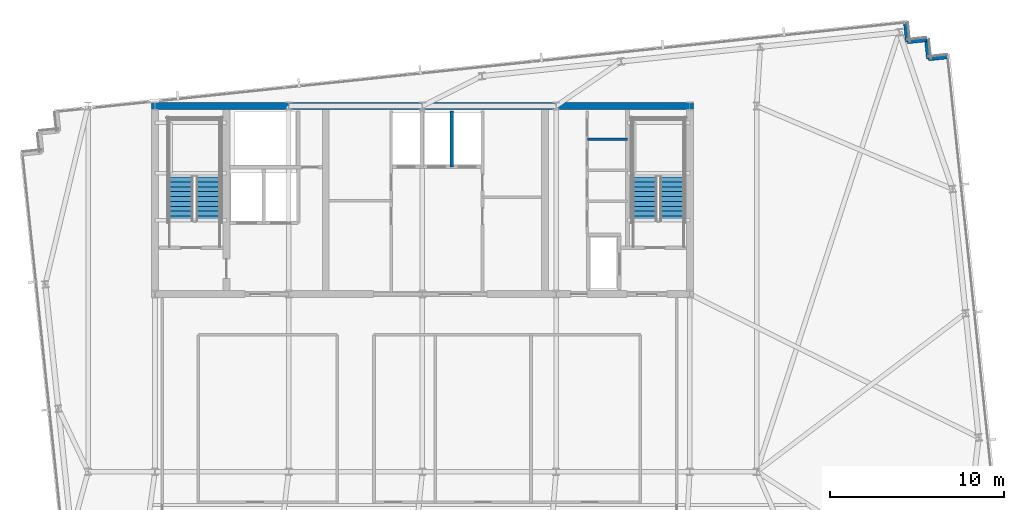
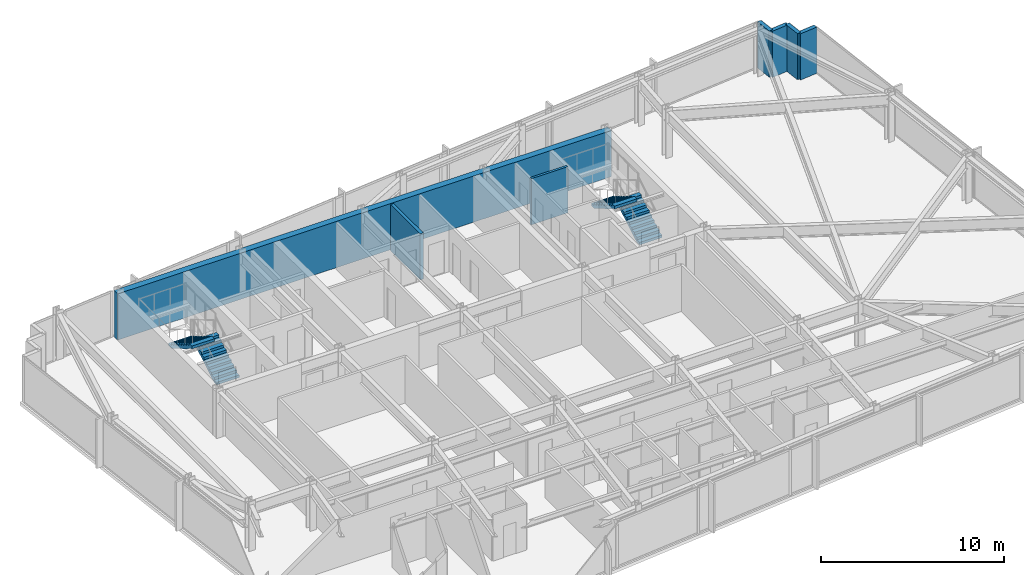
# One storey, part 29 of 33: 7 walls, 4 stair flights, 2 elements without a shape of their own.
"""IFC4 building model written with IfcOpenShell, lengths in metres."""

from ifc_helpers import new_model, si_unit, direction, frame, frame_2d, origin, place, context, subcontext, project, spatial, polyline, rectangle, outline, extrude, material, layer, layer_set, type_object, element, aggregate, save


model = new_model("IFC4")

# Units and contexts
model_context = context("Model", 3, precision=1e-05, world=origin(), true_north=direction((0.0, 1.0)))
body_context = subcontext(model_context, "Body", "Model", "MODEL_VIEW")
ifc_project = project(units=[si_unit("LENGTHUNIT", "METRE"), si_unit("AREAUNIT", "SQUARE_METRE"), si_unit("VOLUMEUNIT", "CUBIC_METRE"), si_unit("PLANEANGLEUNIT", "RADIAN"), si_unit("MASSUNIT", "GRAM", prefix="KILO")], contexts=[model_context])

# Site, building, storey
site_placement = place(None, origin())
site = spatial("IfcSite", under=ifc_project, at=site_placement, CompositionType="ELEMENT")
building_placement = place(site_placement, origin())
building = spatial("IfcBuilding", under=site, at=building_placement, Name="Yelkora Congress Tower", CompositionType="ELEMENT")
storey_placement = place(building_placement, frame((0.0, 0.0, 234.199951171875)))
storey = spatial("IfcBuildingStorey", under=building, at=storey_placement, Name="L65", CompositionType="ELEMENT", Elevation=234.199951171875)

# Walls
ifc_material_1 = material(Name="Concrete C50/60", Category="concrete")
ifc_layer_1 = layer(ifc_material_1, 0.39990234375)
ifc_layer_set_1 = layer_set([ifc_layer_1], Name="Concrete C50/60")
wall_type_1 = type_object("IfcWallType", Name="WALL-CORE-INT-400", PredefinedType="SHEAR", material=ifc_layer_set_1)
wall_1_placement = place(storey_placement, frame((22.840087890625, 46.199951171875, 0.0), z_axis=(0.0, 0.0, 1.0), x_axis=(1.0, 0.0, 0.0)))
element("IfcWall", 1, at=wall_1_placement, inside=storey, type_object=wall_type_1, Name="L65 Rear Core North Shear Wall", PredefinedType="SHEAR", context=body_context, shape_type="SweptSolid", body=[
    extrude(rectangle(XDim=31.119873046875, YDim=0.39990234375, at=frame_2d((15.56005859375, 0.0))), origin(), (0.0, 0.0, 1.0), 3.080078125),
])
ifc_material_2 = material(Name="Concrete C40/50", Category="concrete")
ifc_layer_2 = layer(ifc_material_2, 0.239990234375)
ifc_layer_set_2 = layer_set([ifc_layer_2], Name="Concrete C40/50")
wall_type_2 = type_object("IfcWallType", Name="WALL-EXT-LIMESTONE-240", PredefinedType="SOLIDWALL", material=ifc_layer_set_2)
for number, where, z_axis, x_axis, name in (
    (2, (66.150390625, 50.986572265625, 0.0), (0.0, 0.0, 1.0), (0.104534592565, -0.994521251134, 0.0), "L65 Serrated Corner Limestone Pier 11"),
    (3, (66.265380859375, 49.892578125, 0.0), (0.0, 0.0, 1.0), (0.994521251134, 0.104534592565, 0.0), "L65 Serrated Corner Limestone Pier 12"),
    (4, (67.359375, 50.007568359375, 0.0), (0.0, 0.0, 1.0), (0.104534592565, -0.994521251134, 0.0), "L65 Serrated Corner Limestone Pier 13"),
    (5, (67.474365234375, 48.91357421875, 0.0), (0.0, 0.0, 1.0), (0.994521251134, 0.104534592565, 0.0), "L65 Serrated Corner Limestone Pier 14"),
):
    element("IfcWall", number, at=place(storey_placement, frame(where, z_axis=z_axis, x_axis=x_axis)), inside=storey, type_object=wall_type_2, Name=name, PredefinedType="SOLIDWALL", context=body_context, shape_type="SweptSolid", body=[
        extrude(rectangle(XDim=1.10009765625, YDim=0.239990234375, at=frame_2d((0.550048828125, 0.0))), origin(), (0.0, 0.0, 1.0), 3.080078125),
    ])
ifc_material_3 = material(Name="Acoustic metal-stud gypsum partition", Category="gypsum")
ifc_layer_3 = layer(ifc_material_3, 0.14990234375)
ifc_layer_set_3 = layer_set([ifc_layer_3], Name="Acoustic metal-stud gypsum partition")
wall_type_3 = type_object("IfcWallType", Name="WALL-INT-150-NR", PredefinedType="PARTITIONING", material=ifc_layer_set_3)
wall_2_placement = place(storey_placement, frame((47.8798828125, 44.280029296875, 0.0), z_axis=(0.0, 0.0, 1.0), x_axis=(1.0, 0.0, 0.0)))
element("IfcWall", 6, at=wall_2_placement, inside=storey, type_object=wall_type_3, Name="L65 Partition Wall 22", PredefinedType="PARTITIONING", context=body_context, shape_type="SweptSolid", body=[
    extrude(rectangle(XDim=2.300048828125, YDim=0.14990234375, at=frame_2d((1.14990234375, 0.0))), origin(), (0.0, 0.0, 1.0), 3.080078125),
])
ifc_material_4 = material(Name="Autoclaved aerated concrete blockwork", Category="masonry")
ifc_layer_4 = layer(ifc_material_4, 0.199951171875)
ifc_layer_set_4 = layer_set([ifc_layer_4], Name="Autoclaved aerated concrete blockwork")
wall_type_4 = type_object("IfcWallType", Name="WALL-INT-200-R120", PredefinedType="PARTITIONING", material=ifc_layer_set_4)
wall_3_placement = place(storey_placement, frame((40.10009765625, 42.699951171875, 0.0), z_axis=(0.0, 0.0, 1.0), x_axis=(0.0, 1.0, 0.0)))
element("IfcWall", 7, at=wall_3_placement, inside=storey, type_object=wall_type_4, Name="L65 Partition Wall 10", PredefinedType="PARTITIONING", context=body_context, shape_type="SweptSolid", body=[
    extrude(rectangle(XDim=3.219970703125, YDim=0.199951171875, at=frame_2d((1.60986328125, 0.0))), origin(), (0.0, 0.0, 1.0), 3.080078125),
])

# Stair, stair flights
stair_type = type_object("IfcStairType", Name="STAIR-HT-1420-R20-165", PredefinedType="HALF_TURN_STAIR", material=ifc_material_2)
stair_1_placement = place(storey_placement, origin())
stair_1 = element("IfcStair", 8, at=stair_1_placement, inside=storey, type_object=stair_type, Name="West Core Protected Exit Stair ST-01 (L65)", PredefinedType="HALF_TURN_STAIR")
stair_flight_type = type_object("IfcStairFlightType", Name="FLIGHT-1420-N10-R165-G280", PredefinedType="STRAIGHT", material=ifc_material_2)
stair_flight_1_placement = place(storey_placement, frame((26.110107421875, 39.60009765625, 0.0), z_axis=(0.0, 0.0, 1.0), x_axis=(0.0, 1.0, 0.0)))
stair_flight_1 = element("IfcStairFlight", 9, at=stair_flight_1_placement, type_object=stair_flight_type, Name="ST-01 L65 Flight 1", NumberOfRisers=10, NumberOfTreads=9, PredefinedType="STRAIGHT", RiserHeight=0.165, TreadLength=0.28, context=body_context, shape_type="SweptSolid", body=[
    extrude(outline(polyline([(0.0, 0.0), (0.0, 0.1650390625), (0.280029296875, 0.1650390625), (0.280029296875, 0.330078125), (0.56005859375, 0.330078125), (0.56005859375, 0.4951171875), (0.840087890625, 0.4951171875), (0.840087890625, 0.659912109375), (1.1201171875, 0.659912109375), (1.1201171875, 0.824951171875), (1.39990234375, 0.824951171875), (1.39990234375, 0.989990234375), (1.679931640625, 0.989990234375), (1.679931640625, 1.155029296875), (1.9599609375, 1.155029296875), (1.9599609375, 1.320068359375), (2.239990234375, 1.320068359375), (2.239990234375, 1.485107421875), (2.52001953125, 1.485107421875), (2.52001953125, 1.64990234375), (2.52001953125, 1.29931640625), (0.31494140625, 0.0), (0.0, 0.0)])), frame((0.0, 0.7099609375, 0.0), z_axis=(0.0, -1.0, 0.0), x_axis=(1.0, 0.0, 0.0)), (0.0, 0.0, 1.0), 1.419921875),
])
stair_flight_2_placement = place(storey_placement, frame((24.530029296875, 42.1201171875, 1.650146484375), z_axis=(0.0, 0.0, 1.0), x_axis=(0.0, -1.0, 0.0)))
stair_flight_2 = element("IfcStairFlight", 10, at=stair_flight_2_placement, type_object=stair_flight_type, Name="ST-01 L65 Flight 2", NumberOfRisers=10, NumberOfTreads=9, PredefinedType="STRAIGHT", RiserHeight=0.165, TreadLength=0.28, context=body_context, shape_type="SweptSolid", body=[
    extrude(outline(polyline([(0.0, 0.0), (0.0, 0.1650390625), (0.280029296875, 0.1650390625), (0.280029296875, 0.330078125), (0.56005859375, 0.330078125), (0.56005859375, 0.4951171875), (0.840087890625, 0.4951171875), (0.840087890625, 0.659912109375), (1.1201171875, 0.659912109375), (1.1201171875, 0.824951171875), (1.39990234375, 0.824951171875), (1.39990234375, 0.989990234375), (1.679931640625, 0.989990234375), (1.679931640625, 1.155029296875), (1.9599609375, 1.155029296875), (1.9599609375, 1.320068359375), (2.239990234375, 1.320068359375), (2.239990234375, 1.485107421875), (2.52001953125, 1.485107421875), (2.52001953125, 1.64990234375), (2.52001953125, 1.29931640625), (0.31494140625, 0.0), (0.0, 0.0)])), frame((0.0, 0.7099609375, 0.0), z_axis=(0.0, -1.0, 0.0), x_axis=(1.0, 0.0, 0.0)), (0.0, 0.0, 1.0), 1.419921875),
])
aggregate(stair_1, [stair_flight_1, stair_flight_2])

stair_2_placement = place(storey_placement, origin())
stair_2 = element("IfcStair", 11, at=stair_2_placement, inside=storey, type_object=stair_type, Name="East Core Protected Exit Stair ST-02 (L65)", PredefinedType="HALF_TURN_STAIR")
stair_flight_3_placement = place(storey_placement, frame((52.75, 39.60009765625, 0.0), z_axis=(0.0, 0.0, 1.0), x_axis=(0.0, 1.0, 0.0)))
stair_flight_3 = element("IfcStairFlight", 12, at=stair_flight_3_placement, type_object=stair_flight_type, Name="ST-02 L65 Flight 1", NumberOfRisers=10, NumberOfTreads=9, PredefinedType="STRAIGHT", RiserHeight=0.165, TreadLength=0.28, context=body_context, shape_type="SweptSolid", body=[
    extrude(outline(polyline([(0.0, 0.0), (0.0, 0.1650390625), (0.280029296875, 0.1650390625), (0.280029296875, 0.330078125), (0.56005859375, 0.330078125), (0.56005859375, 0.4951171875), (0.840087890625, 0.4951171875), (0.840087890625, 0.659912109375), (1.1201171875, 0.659912109375), (1.1201171875, 0.824951171875), (1.39990234375, 0.824951171875), (1.39990234375, 0.989990234375), (1.679931640625, 0.989990234375), (1.679931640625, 1.155029296875), (1.9599609375, 1.155029296875), (1.9599609375, 1.320068359375), (2.239990234375, 1.320068359375), (2.239990234375, 1.485107421875), (2.52001953125, 1.485107421875), (2.52001953125, 1.64990234375), (2.52001953125, 1.29931640625), (0.31494140625, 0.0), (0.0, 0.0)])), frame((0.0, 0.7099609375, 0.0), z_axis=(0.0, -1.0, 0.0), x_axis=(1.0, 0.0, 0.0)), (0.0, 0.0, 1.0), 1.419921875),
])
stair_flight_4_placement = place(storey_placement, frame((51.169921875, 42.1201171875, 1.650146484375), z_axis=(0.0, 0.0, 1.0), x_axis=(0.0, -1.0, 0.0)))
stair_flight_4 = element("IfcStairFlight", 13, at=stair_flight_4_placement, type_object=stair_flight_type, Name="ST-02 L65 Flight 2", NumberOfRisers=10, NumberOfTreads=9, PredefinedType="STRAIGHT", RiserHeight=0.165, TreadLength=0.28, context=body_context, shape_type="SweptSolid", body=[
    extrude(outline(polyline([(0.0, 0.0), (0.0, 0.1650390625), (0.280029296875, 0.1650390625), (0.280029296875, 0.330078125), (0.56005859375, 0.330078125), (0.56005859375, 0.4951171875), (0.840087890625, 0.4951171875), (0.840087890625, 0.659912109375), (1.1201171875, 0.659912109375), (1.1201171875, 0.824951171875), (1.39990234375, 0.824951171875), (1.39990234375, 0.989990234375), (1.679931640625, 0.989990234375), (1.679931640625, 1.155029296875), (1.9599609375, 1.155029296875), (1.9599609375, 1.320068359375), (2.239990234375, 1.320068359375), (2.239990234375, 1.485107421875), (2.52001953125, 1.485107421875), (2.52001953125, 1.64990234375), (2.52001953125, 1.29931640625), (0.31494140625, 0.0), (0.0, 0.0)])), frame((0.0, 0.7099609375, 0.0), z_axis=(0.0, -1.0, 0.0), x_axis=(1.0, 0.0, 0.0)), (0.0, 0.0, 1.0), 1.419921875),
])
aggregate(stair_2, [stair_flight_3, stair_flight_4])

save(model, "model.ifc")
